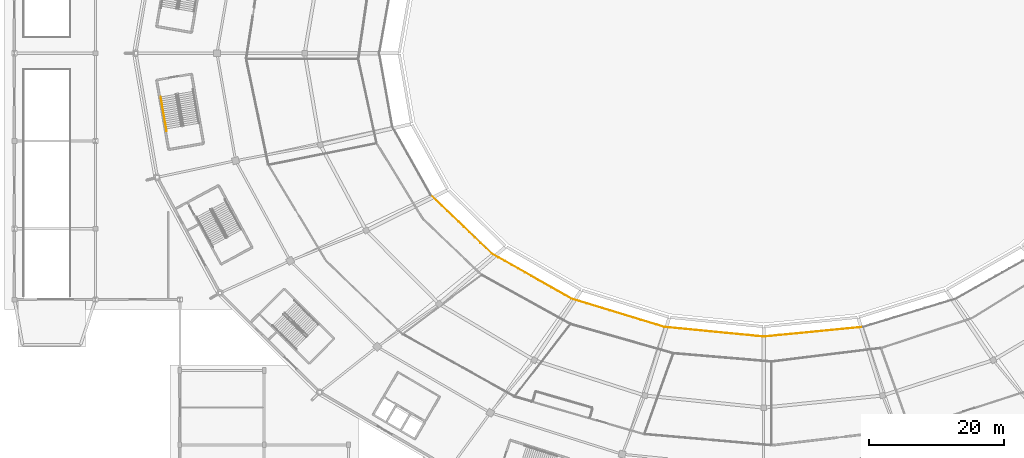
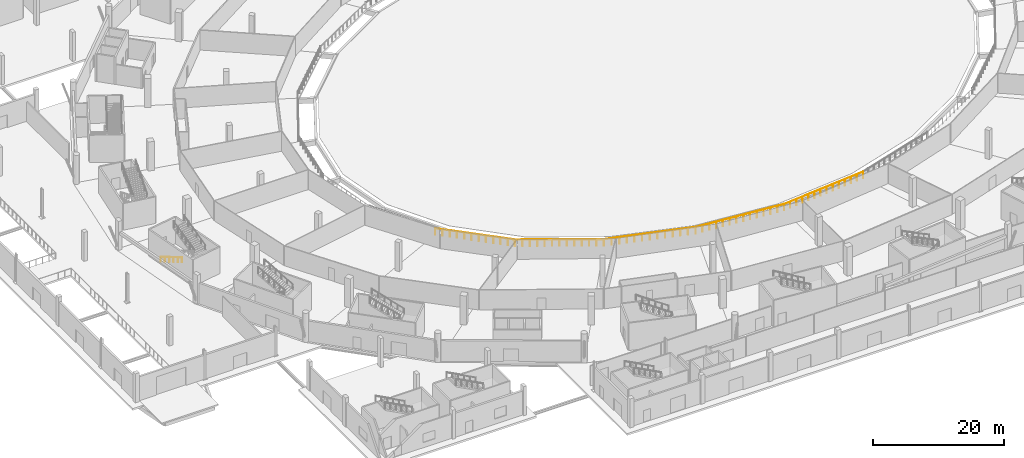
# One storey, part 63 of 82: 6 railings.
"""IFC4 building model written with IfcOpenShell, lengths in metres."""

from ifc_helpers import new_model, si_unit, direction, frame, origin, origin_2d, place, context, subcontext, project, spatial, rectangle, extrude, material, type_object, element, save


model = new_model("IFC4")

# Units and contexts
model_context = context("Model", 3, precision=1e-05, world=origin(), true_north=direction((0.0, 1.0)))
body_context = subcontext(model_context, "Body", "Model", "MODEL_VIEW")
ifc_project = project(units=[si_unit("LENGTHUNIT", "METRE"), si_unit("AREAUNIT", "SQUARE_METRE"), si_unit("VOLUMEUNIT", "CUBIC_METRE"), si_unit("PLANEANGLEUNIT", "RADIAN"), si_unit("MASSUNIT", "GRAM", prefix="KILO")], contexts=[model_context])

# Site, building, storey
site_placement = place(None, origin())
site = spatial("IfcSite", under=ifc_project, at=site_placement, CompositionType="ELEMENT")
building_placement = place(site_placement, origin())
building = spatial("IfcBuilding", under=site, at=building_placement, Name="Zlatoyarsky Gate Stadium", CompositionType="ELEMENT")
storey_placement = place(building_placement, origin())
storey = spatial("IfcBuildingStorey", under=building, at=storey_placement, Name="L00", CompositionType="ELEMENT", Elevation=0.0)

# Railings
ifc_material_1 = material(Name="Powder-coated steel tubular guardrail", Category="steel")
railing_type_1 = type_object("IfcRailingType", Name="CONCOURSE SLAB EDGE GUARDRAIL 1200", PredefinedType="GUARDRAIL", material=ifc_material_1)
railing_1_placement = place(storey_placement, frame((61.65380859375, 59.010009765625, 0.0)))
element("IfcRailing", 1, at=railing_1_placement, inside=storey, type_object=railing_type_1, Name="L00 inner bowl edge guardrail 14", PredefinedType="GUARDRAIL", context=body_context, shape_type="SweptSolid", body=[
    extrude(rectangle(XDim=0.048095703125, YDim=0.048095703125, at=origin_2d()), frame((0.0, 0.0, 1.17578125), z_axis=(0.721332909248, -0.692588502673, 0.0), x_axis=(0.692588502673, 0.721332909248, 0.0)), (0.0, 0.0, 1.0), 12.553466796875),
    extrude(rectangle(XDim=0.0419921875, YDim=0.0419921875, at=origin_2d()), origin(), (0.0, 0.0, 1.0), 1.15185546875),
    extrude(rectangle(XDim=0.0419921875, YDim=0.0419921875, at=origin_2d()), frame((0.8232421875, -0.790283203125, 0.0)), (0.0, 0.0, 1.0), 1.15185546875),
    extrude(rectangle(XDim=0.0419921875, YDim=0.0419921875, at=origin_2d()), frame((1.646484375, -1.580810546875, 0.0)), (0.0, 0.0, 1.0), 1.15185546875),
    extrude(rectangle(XDim=0.0419921875, YDim=0.0419921875, at=origin_2d()), frame((2.469482421875, -2.37109375, 0.0)), (0.0, 0.0, 1.0), 1.15185546875),
    extrude(rectangle(XDim=0.0419921875, YDim=0.0419921875, at=origin_2d()), frame((3.292724609375, -3.16162109375, 0.0)), (0.0, 0.0, 1.0), 1.15185546875),
    extrude(rectangle(XDim=0.0419921875, YDim=0.0419921875, at=origin_2d()), frame((4.115966796875, -3.951904296875, 0.0)), (0.0, 0.0, 1.0), 1.15185546875),
    extrude(rectangle(XDim=0.0419921875, YDim=0.0419921875, at=origin_2d()), frame((4.939208984375, -4.742431640625, 0.0)), (0.0, 0.0, 1.0), 1.15185546875),
    extrude(rectangle(XDim=0.0419921875, YDim=0.0419921875, at=origin_2d()), frame((5.762451171875, -5.53271484375, 0.0)), (0.0, 0.0, 1.0), 1.15185546875),
    extrude(rectangle(XDim=0.0419921875, YDim=0.0419921875, at=origin_2d()), frame((6.585693359375, -6.3232421875, 0.0)), (0.0, 0.0, 1.0), 1.15185546875),
    extrude(rectangle(XDim=0.0419921875, YDim=0.0419921875, at=origin_2d()), frame((7.40869140625, -7.113525390625, 0.0)), (0.0, 0.0, 1.0), 1.15185546875),
    extrude(rectangle(XDim=0.0419921875, YDim=0.0419921875, at=origin_2d()), frame((8.23193359375, -7.904052734375, 0.0)), (0.0, 0.0, 1.0), 1.15185546875),
    extrude(rectangle(XDim=0.0419921875, YDim=0.0419921875, at=origin_2d()), frame((9.05517578125, -8.6943359375, 0.0)), (0.0, 0.0, 1.0), 1.15185546875),
])
railing_2_placement = place(storey_placement, frame((70.708984375, 50.315673828125, 0.0)))
element("IfcRailing", 2, at=railing_2_placement, inside=storey, type_object=railing_type_1, Name="L00 inner bowl edge guardrail 15", PredefinedType="GUARDRAIL", context=body_context, shape_type="SweptSolid", body=[
    extrude(rectangle(XDim=0.048095703125, YDim=0.048095703125, at=origin_2d()), frame((0.0, 0.0, 1.17578125), z_axis=(0.870523591827, -0.492126687015, 0.0), x_axis=(0.492126687015, 0.870523591827, 0.0)), (0.0, 0.0, 1.0), 13.55615234375),
    extrude(rectangle(XDim=0.0419921875, YDim=0.0419921875, at=origin_2d()), origin(), (0.0, 0.0, 1.0), 1.15185546875),
    extrude(rectangle(XDim=0.0419921875, YDim=0.0419921875, at=origin_2d()), frame((0.9833984375, -0.555908203125, 0.0)), (0.0, 0.0, 1.0), 1.15185546875),
    extrude(rectangle(XDim=0.0419921875, YDim=0.0419921875, at=origin_2d()), frame((1.966796875, -1.11181640625, 0.0)), (0.0, 0.0, 1.0), 1.15185546875),
    extrude(rectangle(XDim=0.0419921875, YDim=0.0419921875, at=origin_2d()), frame((2.9501953125, -1.66796875, 0.0)), (0.0, 0.0, 1.0), 1.15185546875),
    extrude(rectangle(XDim=0.0419921875, YDim=0.0419921875, at=origin_2d()), frame((3.93359375, -2.223876953125, 0.0)), (0.0, 0.0, 1.0), 1.15185546875),
    extrude(rectangle(XDim=0.0419921875, YDim=0.0419921875, at=origin_2d()), frame((4.9169921875, -2.77978515625, 0.0)), (0.0, 0.0, 1.0), 1.15185546875),
    extrude(rectangle(XDim=0.0419921875, YDim=0.0419921875, at=origin_2d()), frame((5.900390625, -3.335693359375, 0.0)), (0.0, 0.0, 1.0), 1.15185546875),
    extrude(rectangle(XDim=0.0419921875, YDim=0.0419921875, at=origin_2d()), frame((6.884033203125, -3.8916015625, 0.0)), (0.0, 0.0, 1.0), 1.15185546875),
    extrude(rectangle(XDim=0.0419921875, YDim=0.0419921875, at=origin_2d()), frame((7.867431640625, -4.447509765625, 0.0)), (0.0, 0.0, 1.0), 1.15185546875),
    extrude(rectangle(XDim=0.0419921875, YDim=0.0419921875, at=origin_2d()), frame((8.850830078125, -5.00341796875, 0.0)), (0.0, 0.0, 1.0), 1.15185546875),
    extrude(rectangle(XDim=0.0419921875, YDim=0.0419921875, at=origin_2d()), frame((9.834228515625, -5.5595703125, 0.0)), (0.0, 0.0, 1.0), 1.15185546875),
    extrude(rectangle(XDim=0.0419921875, YDim=0.0419921875, at=origin_2d()), frame((10.817626953125, -6.115478515625, 0.0)), (0.0, 0.0, 1.0), 1.15185546875),
    extrude(rectangle(XDim=0.0419921875, YDim=0.0419921875, at=origin_2d()), frame((11.801025390625, -6.67138671875, 0.0)), (0.0, 0.0, 1.0), 1.15185546875),
])
railing_3_placement = place(storey_placement, frame((82.510009765625, 43.644287109375, 0.0)))
element("IfcRailing", 3, at=railing_3_placement, inside=storey, type_object=railing_type_1, Name="L00 inner bowl edge guardrail 16", PredefinedType="GUARDRAIL", context=body_context, shape_type="SweptSolid", body=[
    extrude(rectangle(XDim=0.048095703125, YDim=0.048095703125, at=origin_2d()), frame((0.0, 0.0, 1.17578125), z_axis=(0.956453212305, -0.291885684254, 0.0), x_axis=(0.291885684254, 0.956453212305, 0.0)), (0.0, 0.0, 1.0), 14.3681640625),
    extrude(rectangle(XDim=0.0419921875, YDim=0.0419921875, at=origin_2d()), origin(), (0.0, 0.0, 1.0), 1.15185546875),
    extrude(rectangle(XDim=0.0419921875, YDim=0.0419921875, at=origin_2d()), frame((1.145263671875, -0.349609375, 0.0)), (0.0, 0.0, 1.0), 1.15185546875),
    extrude(rectangle(XDim=0.0419921875, YDim=0.0419921875, at=origin_2d()), frame((2.29052734375, -0.698974609375, 0.0)), (0.0, 0.0, 1.0), 1.15185546875),
    extrude(rectangle(XDim=0.0419921875, YDim=0.0419921875, at=origin_2d()), frame((3.435546875, -1.04833984375, 0.0)), (0.0, 0.0, 1.0), 1.15185546875),
    extrude(rectangle(XDim=0.0419921875, YDim=0.0419921875, at=origin_2d()), frame((4.580810546875, -1.39794921875, 0.0)), (0.0, 0.0, 1.0), 1.15185546875),
    extrude(rectangle(XDim=0.0419921875, YDim=0.0419921875, at=origin_2d()), frame((5.72607421875, -1.74755859375, 0.0)), (0.0, 0.0, 1.0), 1.15185546875),
    extrude(rectangle(XDim=0.0419921875, YDim=0.0419921875, at=origin_2d()), frame((6.87109375, -2.096923828125, 0.0)), (0.0, 0.0, 1.0), 1.15185546875),
    extrude(rectangle(XDim=0.0419921875, YDim=0.0419921875, at=origin_2d()), frame((8.016357421875, -2.4462890625, 0.0)), (0.0, 0.0, 1.0), 1.15185546875),
    extrude(rectangle(XDim=0.0419921875, YDim=0.0419921875, at=origin_2d()), frame((9.16162109375, -2.7958984375, 0.0)), (0.0, 0.0, 1.0), 1.15185546875),
    extrude(rectangle(XDim=0.0419921875, YDim=0.0419921875, at=origin_2d()), frame((10.306884765625, -3.1455078125, 0.0)), (0.0, 0.0, 1.0), 1.15185546875),
    extrude(rectangle(XDim=0.0419921875, YDim=0.0419921875, at=origin_2d()), frame((11.4521484375, -3.494873046875, 0.0)), (0.0, 0.0, 1.0), 1.15185546875),
    extrude(rectangle(XDim=0.0419921875, YDim=0.0419921875, at=origin_2d()), frame((12.59716796875, -3.84423828125, 0.0)), (0.0, 0.0, 1.0), 1.15185546875),
    extrude(rectangle(XDim=0.0419921875, YDim=0.0419921875, at=origin_2d()), frame((13.742431640625, -4.19384765625, 0.0)), (0.0, 0.0, 1.0), 1.15185546875),
])
railing_4_placement = place(storey_placement, frame((96.25244140625, 39.450439453125, 0.0)))
element("IfcRailing", 4, at=railing_4_placement, inside=storey, type_object=railing_type_1, Name="L00 inner bowl edge guardrail 17", PredefinedType="GUARDRAIL", context=body_context, shape_type="SweptSolid", body=[
    extrude(rectangle(XDim=0.048095703125, YDim=0.048095703125, at=origin_2d()), frame((0.0, 0.0, 1.17578125), z_axis=(0.995329045142, -0.096540623042, 0.0), x_axis=(0.096540623042, 0.995329045142, 0.0)), (0.0, 0.0, 1.0), 14.816650390625),
    extrude(rectangle(XDim=0.0419921875, YDim=0.0419921875, at=origin_2d()), origin(), (0.0, 0.0, 1.0), 1.15185546875),
    extrude(rectangle(XDim=0.0419921875, YDim=0.0419921875, at=origin_2d()), frame((1.134521484375, -0.110107421875, 0.0)), (0.0, 0.0, 1.0), 1.15185546875),
    extrude(rectangle(XDim=0.0419921875, YDim=0.0419921875, at=origin_2d()), frame((2.268798828125, -0.219970703125, 0.0)), (0.0, 0.0, 1.0), 1.15185546875),
    extrude(rectangle(XDim=0.0419921875, YDim=0.0419921875, at=origin_2d()), frame((3.4033203125, -0.330078125, 0.0)), (0.0, 0.0, 1.0), 1.15185546875),
    extrude(rectangle(XDim=0.0419921875, YDim=0.0419921875, at=origin_2d()), frame((4.53759765625, -0.440185546875, 0.0)), (0.0, 0.0, 1.0), 1.15185546875),
    extrude(rectangle(XDim=0.0419921875, YDim=0.0419921875, at=origin_2d()), frame((5.672119140625, -0.550048828125, 0.0)), (0.0, 0.0, 1.0), 1.15185546875),
    extrude(rectangle(XDim=0.0419921875, YDim=0.0419921875, at=origin_2d()), frame((6.806640625, -0.66015625, 0.0)), (0.0, 0.0, 1.0), 1.15185546875),
    extrude(rectangle(XDim=0.0419921875, YDim=0.0419921875, at=origin_2d()), frame((7.94091796875, -0.770263671875, 0.0)), (0.0, 0.0, 1.0), 1.15185546875),
    extrude(rectangle(XDim=0.0419921875, YDim=0.0419921875, at=origin_2d()), frame((9.075439453125, -0.88037109375, 0.0)), (0.0, 0.0, 1.0), 1.15185546875),
    extrude(rectangle(XDim=0.0419921875, YDim=0.0419921875, at=origin_2d()), frame((10.2099609375, -0.990234375, 0.0)), (0.0, 0.0, 1.0), 1.15185546875),
    extrude(rectangle(XDim=0.0419921875, YDim=0.0419921875, at=origin_2d()), frame((11.34423828125, -1.100341796875, 0.0)), (0.0, 0.0, 1.0), 1.15185546875),
    extrude(rectangle(XDim=0.0419921875, YDim=0.0419921875, at=origin_2d()), frame((12.478759765625, -1.21044921875, 0.0)), (0.0, 0.0, 1.0), 1.15185546875),
    extrude(rectangle(XDim=0.0419921875, YDim=0.0419921875, at=origin_2d()), frame((13.613037109375, -1.3203125, 0.0)), (0.0, 0.0, 1.0), 1.15185546875),
    extrude(rectangle(XDim=0.0419921875, YDim=0.0419921875, at=origin_2d()), frame((14.74755859375, -1.430419921875, 0.0)), (0.0, 0.0, 1.0), 1.15185546875),
])
railing_5_placement = place(storey_placement, frame((111.0, 38.02001953125, 0.0)))
element("IfcRailing", 5, at=railing_5_placement, inside=storey, type_object=railing_type_1, Name="L00 inner bowl edge guardrail 18", PredefinedType="GUARDRAIL", context=body_context, shape_type="SweptSolid", body=[
    extrude(rectangle(XDim=0.048095703125, YDim=0.048095703125, at=origin_2d()), frame((0.0, 0.0, 1.17578125), z_axis=(0.995329045142, 0.096540623042, 0.0), x_axis=(-0.096540623042, 0.995329045142, 0.0)), (0.0, 0.0, 1.0), 14.816650390625),
    extrude(rectangle(XDim=0.0419921875, YDim=0.0419921875, at=origin_2d()), origin(), (0.0, 0.0, 1.0), 1.15185546875),
    extrude(rectangle(XDim=0.0419921875, YDim=0.0419921875, at=origin_2d()), frame((1.134521484375, 0.110107421875, 0.0)), (0.0, 0.0, 1.0), 1.15185546875),
    extrude(rectangle(XDim=0.0419921875, YDim=0.0419921875, at=origin_2d()), frame((2.268798828125, 0.219970703125, 0.0)), (0.0, 0.0, 1.0), 1.15185546875),
    extrude(rectangle(XDim=0.0419921875, YDim=0.0419921875, at=origin_2d()), frame((3.4033203125, 0.330078125, 0.0)), (0.0, 0.0, 1.0), 1.15185546875),
    extrude(rectangle(XDim=0.0419921875, YDim=0.0419921875, at=origin_2d()), frame((4.53759765625, 0.440185546875, 0.0)), (0.0, 0.0, 1.0), 1.15185546875),
    extrude(rectangle(XDim=0.0419921875, YDim=0.0419921875, at=origin_2d()), frame((5.672119140625, 0.550048828125, 0.0)), (0.0, 0.0, 1.0), 1.15185546875),
    extrude(rectangle(XDim=0.0419921875, YDim=0.0419921875, at=origin_2d()), frame((6.806640625, 0.66015625, 0.0)), (0.0, 0.0, 1.0), 1.15185546875),
    extrude(rectangle(XDim=0.0419921875, YDim=0.0419921875, at=origin_2d()), frame((7.94091796875, 0.770263671875, 0.0)), (0.0, 0.0, 1.0), 1.15185546875),
    extrude(rectangle(XDim=0.0419921875, YDim=0.0419921875, at=origin_2d()), frame((9.075439453125, 0.88037109375, 0.0)), (0.0, 0.0, 1.0), 1.15185546875),
    extrude(rectangle(XDim=0.0419921875, YDim=0.0419921875, at=origin_2d()), frame((10.2099609375, 0.990234375, 0.0)), (0.0, 0.0, 1.0), 1.15185546875),
    extrude(rectangle(XDim=0.0419921875, YDim=0.0419921875, at=origin_2d()), frame((11.34423828125, 1.100341796875, 0.0)), (0.0, 0.0, 1.0), 1.15185546875),
    extrude(rectangle(XDim=0.0419921875, YDim=0.0419921875, at=origin_2d()), frame((12.478759765625, 1.21044921875, 0.0)), (0.0, 0.0, 1.0), 1.15185546875),
    extrude(rectangle(XDim=0.0419921875, YDim=0.0419921875, at=origin_2d()), frame((13.613037109375, 1.3203125, 0.0)), (0.0, 0.0, 1.0), 1.15185546875),
    extrude(rectangle(XDim=0.0419921875, YDim=0.0419921875, at=origin_2d()), frame((14.74755859375, 1.430419921875, 0.0)), (0.0, 0.0, 1.0), 1.15185546875),
])
ifc_material_2 = material(Name="Brushed stainless steel 316 handrail", Category="steel")
railing_type_2 = type_object("IfcRailingType", Name="STAINLESS STEEL TUBULAR HANDRAIL 900", PredefinedType="HANDRAIL", material=ifc_material_2)
railing_6_placement = place(storey_placement, frame((21.673828125, 73.5234375, 0.162841796875)))
element("IfcRailing", 6, at=railing_6_placement, inside=storey, type_object=railing_type_2, Name="ST-07 L00 stair handrail 1", PredefinedType="HANDRAIL", context=body_context, shape_type="SweptSolid", body=[
    extrude(rectangle(XDim=0.048095703125, YDim=0.048095703125, at=origin_2d()), frame((0.0, 0.0, 0.8759765625), z_axis=(0.150191005061, -0.870938600052, 0.467876711259), x_axis=(0.985454587494, 0.169938977247, 0.0)), (0.0, 0.0, 1.0), 5.770751953125),
    extrude(rectangle(XDim=0.0419921875, YDim=0.0419921875, at=origin_2d()), origin(), (0.0, 0.0, 1.0), 0.851806640625),
    extrude(rectangle(XDim=0.0419921875, YDim=0.0419921875, at=origin_2d()), frame((0.17333984375, -1.005126953125, 0.5400390625)), (0.0, 0.0, 1.0), 0.851806640625),
    extrude(rectangle(XDim=0.0419921875, YDim=0.0419921875, at=origin_2d()), frame((0.3466796875, -2.01025390625, 1.080078125)), (0.0, 0.0, 1.0), 0.851806640625),
    extrude(rectangle(XDim=0.0419921875, YDim=0.0419921875, at=origin_2d()), frame((0.52001953125, -3.015625, 1.619873046875)), (0.0, 0.0, 1.0), 0.851806640625),
    extrude(rectangle(XDim=0.0419921875, YDim=0.0419921875, at=origin_2d()), frame((0.693359375, -4.020751953125, 2.159912109375)), (0.0, 0.0, 1.0), 0.851806640625),
    extrude(rectangle(XDim=0.0419921875, YDim=0.0419921875, at=origin_2d()), frame((0.86669921875, -5.02587890625, 2.699951171875)), (0.0, 0.0, 1.0), 0.851806640625),
])

save(model, "model.ifc")
